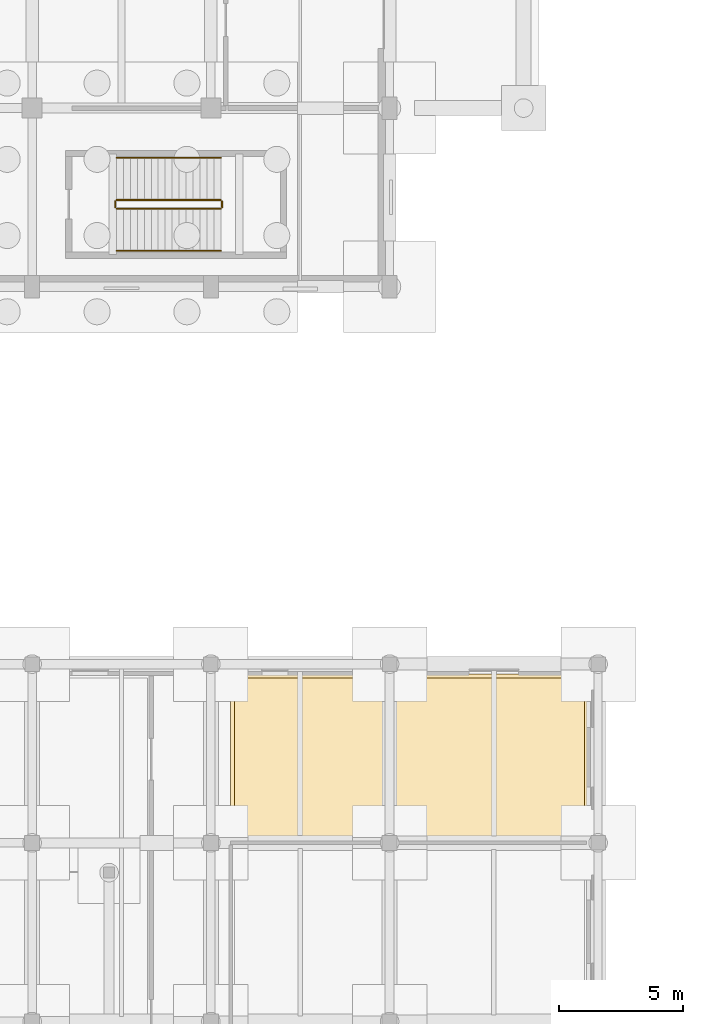
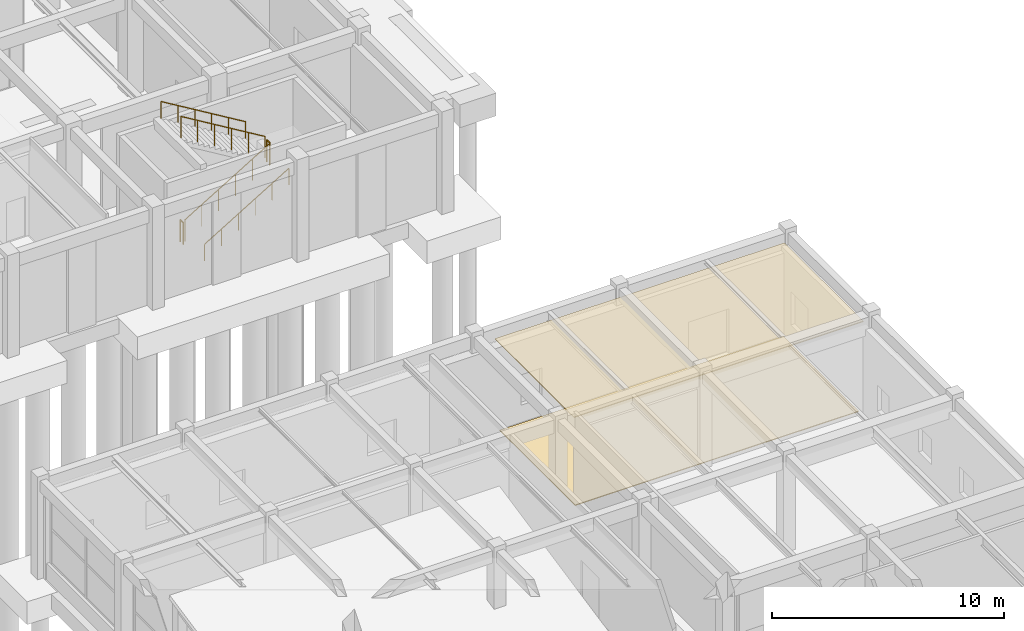
# One storey, part 89 of 91: 6 railings, 2 coverings.
"""IFC4 building model written with IfcOpenShell, lengths in metres."""

from ifc_helpers import new_model, si_unit, direction, frame, origin, origin_2d, place, context, subcontext, project, spatial, polyline, circle, outline, extrude, material, layer, layer_set, type_object, element, save


model = new_model("IFC4")

# Units and contexts
model_context = context("Model", 3, precision=1e-05, world=origin(), true_north=direction((0.0, 1.0)))
body_context = subcontext(model_context, "Body", "Model", "MODEL_VIEW")
ifc_project = project(units=[si_unit("LENGTHUNIT", "METRE"), si_unit("AREAUNIT", "SQUARE_METRE"), si_unit("VOLUMEUNIT", "CUBIC_METRE"), si_unit("PLANEANGLEUNIT", "RADIAN"), si_unit("MASSUNIT", "GRAM", prefix="KILO")], contexts=[model_context])

# Site, building, storey
site_placement = place(None, origin())
site = spatial("IfcSite", under=ifc_project, at=site_placement, CompositionType="ELEMENT")
building_placement = place(site_placement, origin())
building = spatial("IfcBuilding", under=site, at=building_placement, Name="Bramveld Media Centre", CompositionType="ELEMENT")
storey_placement = place(building_placement, origin())
storey = spatial("IfcBuildingStorey", under=building, at=storey_placement, Name="L00", CompositionType="ELEMENT", Elevation=0.0)

# Coverings
ifc_material_1 = material(Name="Perforated acoustic mineral-fibre & oak-slat suspended ceiling")
ifc_layer_1 = layer(ifc_material_1, 0.044921875)
ifc_layer_set_1 = layer_set([ifc_layer_1], Name="Perforated acoustic mineral-fibre & oak-slat suspended ceiling")
covering_type_1 = type_object("IfcCoveringType", Name="COV-CEIL-01", PredefinedType="CEILING", material=ifc_layer_set_1)
covering_1_placement = place(storey_placement, frame((0.0, 0.0, 4.764892578125)))
element("IfcCovering", 1, at=covering_1_placement, inside=storey, type_object=covering_type_1, Name="Courtyard Education Circulation Lobby acoustic suspended ceiling", PredefinedType="CEILING", context=body_context, shape_type="SweptSolid", body=[
    extrude(outline(polyline([(153.60009765625, 60.800048828125), (168.0, 60.800048828125), (168.0, 67.60009765625), (153.60009765625, 67.60009765625), (153.60009765625, 60.800048828125)])), origin(), (0.0, 0.0, 1.0), 0.045166015625),
])
ifc_material_2 = material(Name="Anti-static acoustic linoleum editing & vault flooring")
ifc_layer_2 = layer(ifc_material_2, 0.0400390625)
ifc_layer_set_2 = layer_set([ifc_layer_2], Name="Anti-static acoustic linoleum editing & vault flooring")
covering_type_2 = type_object("IfcCoveringType", Name="COV-FLOOR-03", PredefinedType="FLOORING", material=ifc_layer_set_2)
covering_2_placement = place(storey_placement, origin())
element("IfcCovering", 2, at=covering_2_placement, inside=storey, type_object=covering_type_2, Name="Courtyard Education Circulation Lobby finish flooring", PredefinedType="FLOORING", context=body_context, shape_type="SweptSolid", body=[
    extrude(outline(polyline([(153.75, 60.949951171875), (167.85009765625, 60.949951171875), (167.85009765625, 67.449951171875), (153.75, 67.449951171875), (153.75, 60.949951171875)])), origin(), (0.0, 0.0, 1.0), 0.0400390625),
])

# Railings
ifc_material_3 = material(Name="Painted galvanized steel stairwell guardrail", Category="steel")
railing_type_1 = type_object("IfcRailingType", Name="RAIL-STAIR-GUARD-1150", PredefinedType="GUARDRAIL", material=ifc_material_3)
railing_1_placement = place(storey_placement, frame((149.0, 86.35009765625, 0.168701171875)))
element("IfcRailing", 3, at=railing_1_placement, inside=storey, type_object=railing_type_1, Name="L00 ST-02 stair guard 1", PredefinedType="GUARDRAIL", context=body_context, shape_type="SweptSolid", body=[
    extrude(circle(Radius=0.02392578125, at=origin_2d()), frame((0.0, 0.0, 1.1259765625), z_axis=(0.856476492594, 0.0, 0.516186030065), x_axis=(0.0, 1.0, 0.0)), (0.0, 0.0, 1.0), 4.90380859375),
    extrude(circle(Radius=0.02099609375, at=origin_2d()), origin(), (0.0, 0.0, 1.0), 1.101806640625),
    extrude(circle(Radius=0.02099609375, at=origin_2d()), frame((0.840087890625, 0.0, 0.50634765625)), (0.0, 0.0, 1.0), 1.101806640625),
    extrude(circle(Radius=0.02099609375, at=origin_2d()), frame((1.679931640625, 0.0, 1.012451171875)), (0.0, 0.0, 1.0), 1.101806640625),
    extrude(circle(Radius=0.02099609375, at=origin_2d()), frame((2.52001953125, 0.0, 1.518798828125)), (0.0, 0.0, 1.0), 1.101806640625),
    extrude(circle(Radius=0.02099609375, at=origin_2d()), frame((3.35986328125, 0.0, 2.02490234375)), (0.0, 0.0, 1.0), 1.101806640625),
    extrude(circle(Radius=0.02099609375, at=origin_2d()), frame((4.199951171875, 0.0, 2.53125)), (0.0, 0.0, 1.0), 1.101806640625),
])
railing_2_placement = place(storey_placement, frame((153.25, 86.39990234375, 2.699951171875)))
element("IfcRailing", 4, at=railing_2_placement, inside=storey, type_object=railing_type_1, Name="L00 ST-02 stair guard 2", PredefinedType="GUARDRAIL", context=body_context, shape_type="SweptSolid", body=[
    extrude(circle(Radius=0.02392578125, at=origin_2d()), frame((0.0, 0.0, 1.1259765625), z_axis=(0.0, 1.0, 0.0), x_axis=(-1.0, 0.0, 0.0)), (0.0, 0.0, 1.0), 0.25),
    extrude(circle(Radius=0.02099609375, at=origin_2d()), origin(), (0.0, 0.0, 1.0), 1.101806640625),
    extrude(circle(Radius=0.02099609375, at=origin_2d()), frame((0.0, 0.25, 0.0)), (0.0, 0.0, 1.0), 1.101806640625),
])
railing_3_placement = place(storey_placement, frame((153.199951171875, 86.699951171875, 2.86865234375)))
element("IfcRailing", 5, at=railing_3_placement, inside=storey, type_object=railing_type_1, Name="L00 ST-02 stair guard 3", PredefinedType="GUARDRAIL", context=body_context, shape_type="SweptSolid", body=[
    extrude(circle(Radius=0.02392578125, at=origin_2d()), frame((0.0, 0.0, 1.1259765625), z_axis=(-0.856476492594, 0.0, 0.516186030065), x_axis=(0.0, -1.0, 0.0)), (0.0, 0.0, 1.0), 4.90380859375),
    extrude(circle(Radius=0.02099609375, at=origin_2d()), origin(), (0.0, 0.0, 1.0), 1.101806640625),
    extrude(circle(Radius=0.02099609375, at=origin_2d()), frame((-0.840087890625, 0.0, 0.50634765625)), (0.0, 0.0, 1.0), 1.101806640625),
    extrude(circle(Radius=0.02099609375, at=origin_2d()), frame((-1.679931640625, 0.0, 1.012451171875)), (0.0, 0.0, 1.0), 1.101806640625),
    extrude(circle(Radius=0.02099609375, at=origin_2d()), frame((-2.52001953125, 0.0, 1.518798828125)), (0.0, 0.0, 1.0), 1.101806640625),
    extrude(circle(Radius=0.02099609375, at=origin_2d()), frame((-3.35986328125, 0.0, 2.02490234375)), (0.0, 0.0, 1.0), 1.101806640625),
    extrude(circle(Radius=0.02099609375, at=origin_2d()), frame((-4.199951171875, 0.0, 2.53125)), (0.0, 0.0, 1.0), 1.101806640625),
])
railing_4_placement = place(storey_placement, frame((148.949951171875, 86.39990234375, 0.0)))
element("IfcRailing", 6, at=railing_4_placement, inside=storey, type_object=railing_type_1, Name="L00 ST-02 stair guard 4", PredefinedType="GUARDRAIL", context=body_context, shape_type="SweptSolid", body=[
    extrude(circle(Radius=0.02392578125, at=origin_2d()), frame((0.0, 0.0, 1.1259765625), z_axis=(0.0, 1.0, 0.0), x_axis=(-1.0, 0.0, 0.0)), (0.0, 0.0, 1.0), 0.25),
    extrude(circle(Radius=0.02099609375, at=origin_2d()), origin(), (0.0, 0.0, 1.0), 1.101806640625),
    extrude(circle(Radius=0.02099609375, at=origin_2d()), frame((0.0, 0.25, 0.0)), (0.0, 0.0, 1.0), 1.101806640625),
])
ifc_material_4 = material(Name="Brushed stainless steel tubular stair handrail", Category="steel")
railing_type_2 = type_object("IfcRailingType", Name="RAIL-STAIR-HAND-0920", PredefinedType="HANDRAIL", material=ifc_material_4)
railing_5_placement = place(storey_placement, frame((149.0, 84.64990234375, 0.168701171875)))
element("IfcRailing", 7, at=railing_5_placement, inside=storey, type_object=railing_type_2, Name="L00 ST-02 stair handrail 1", PredefinedType="HANDRAIL", context=body_context, shape_type="SweptSolid", body=[
    extrude(circle(Radius=0.02392578125, at=origin_2d()), frame((0.0, 0.0, 0.8759765625), z_axis=(0.856476492594, 0.0, 0.516186030065), x_axis=(0.0, 1.0, 0.0)), (0.0, 0.0, 1.0), 4.90380859375),
    extrude(circle(Radius=0.02099609375, at=origin_2d()), origin(), (0.0, 0.0, 1.0), 0.851806640625),
    extrude(circle(Radius=0.02099609375, at=origin_2d()), frame((0.840087890625, 0.0, 0.50634765625)), (0.0, 0.0, 1.0), 0.851806640625),
    extrude(circle(Radius=0.02099609375, at=origin_2d()), frame((1.679931640625, 0.0, 1.012451171875)), (0.0, 0.0, 1.0), 0.851806640625),
    extrude(circle(Radius=0.02099609375, at=origin_2d()), frame((2.52001953125, 0.0, 1.518798828125)), (0.0, 0.0, 1.0), 0.851806640625),
    extrude(circle(Radius=0.02099609375, at=origin_2d()), frame((3.35986328125, 0.0, 2.02490234375)), (0.0, 0.0, 1.0), 0.851806640625),
    extrude(circle(Radius=0.02099609375, at=origin_2d()), frame((4.199951171875, 0.0, 2.53125)), (0.0, 0.0, 1.0), 0.851806640625),
])
railing_6_placement = place(storey_placement, frame((153.199951171875, 88.39990234375, 2.86865234375)))
element("IfcRailing", 8, at=railing_6_placement, inside=storey, type_object=railing_type_2, Name="L00 ST-02 stair handrail 2", PredefinedType="HANDRAIL", context=body_context, shape_type="SweptSolid", body=[
    extrude(circle(Radius=0.02392578125, at=origin_2d()), frame((0.0, 0.0, 0.8759765625), z_axis=(-0.856476492594, 0.0, 0.516186030065), x_axis=(0.0, -1.0, 0.0)), (0.0, 0.0, 1.0), 4.90380859375),
    extrude(circle(Radius=0.02099609375, at=origin_2d()), origin(), (0.0, 0.0, 1.0), 0.851806640625),
    extrude(circle(Radius=0.02099609375, at=origin_2d()), frame((-0.840087890625, 0.0, 0.50634765625)), (0.0, 0.0, 1.0), 0.851806640625),
    extrude(circle(Radius=0.02099609375, at=origin_2d()), frame((-1.679931640625, 0.0, 1.012451171875)), (0.0, 0.0, 1.0), 0.851806640625),
    extrude(circle(Radius=0.02099609375, at=origin_2d()), frame((-2.52001953125, 0.0, 1.518798828125)), (0.0, 0.0, 1.0), 0.851806640625),
    extrude(circle(Radius=0.02099609375, at=origin_2d()), frame((-3.35986328125, 0.0, 2.02490234375)), (0.0, 0.0, 1.0), 0.851806640625),
    extrude(circle(Radius=0.02099609375, at=origin_2d()), frame((-4.199951171875, 0.0, 2.53125)), (0.0, 0.0, 1.0), 0.851806640625),
])

save(model, "model.ifc")
